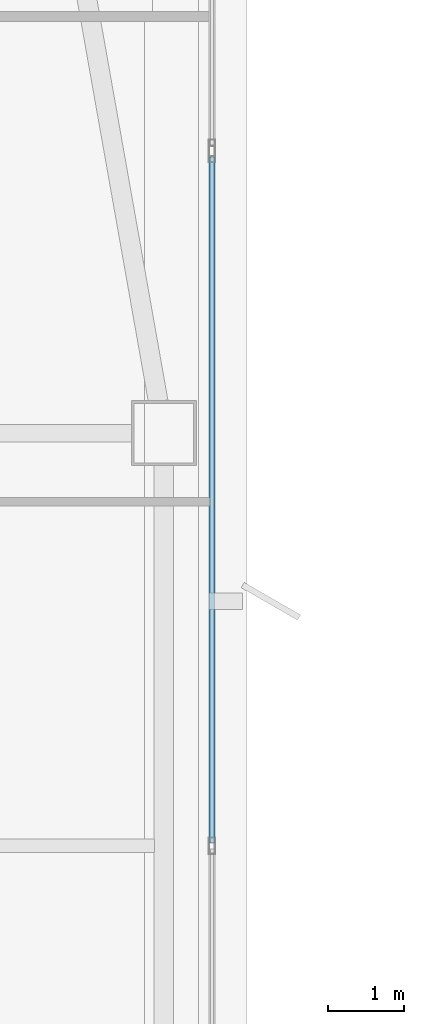
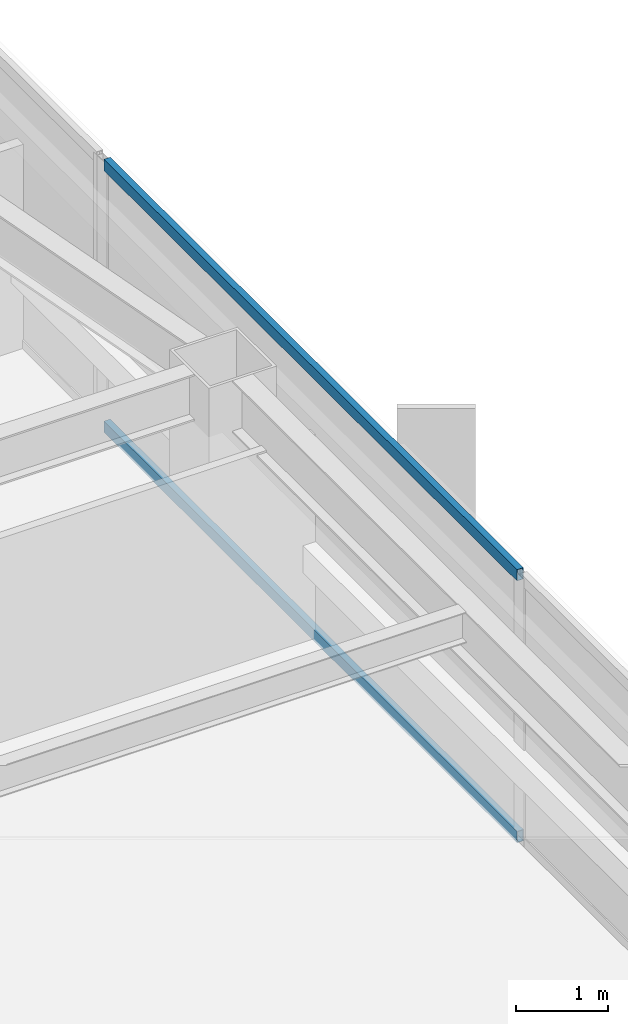
# One storey, part 12 of 49: 2 members, 1 element without a shape of its own.
"""IFC4 building model written with IfcOpenShell, lengths in metres."""

from ifc_helpers import new_model, si_unit, direction, frame, origin, origin_2d, place, context, subcontext, project, spatial, hollow_rectangle, extrude, material, material_profile, profile_set, type_object, element, aggregate, save


model = new_model("IFC4")

# Units and contexts
model_context = context("Model", 3, precision=1e-05, world=origin(), true_north=direction((0.0, 1.0)))
body_context = subcontext(model_context, "Body", "Model", "MODEL_VIEW")
ifc_project = project(units=[si_unit("LENGTHUNIT", "METRE"), si_unit("AREAUNIT", "SQUARE_METRE"), si_unit("VOLUMEUNIT", "CUBIC_METRE"), si_unit("PLANEANGLEUNIT", "RADIAN"), si_unit("MASSUNIT", "GRAM", prefix="KILO")], contexts=[model_context])

# Site, building, storey
site_placement = place(None, origin())
site = spatial("IfcSite", under=ifc_project, at=site_placement, CompositionType="ELEMENT")
building_placement = place(site_placement, origin())
building = spatial("IfcBuilding", under=site, at=building_placement, Name="Tashvorn Skyway Center", CompositionType="ELEMENT")
storey_placement = place(building_placement, frame((0.0, 0.0, 70.75)))
storey = spatial("IfcBuildingStorey", under=building, at=storey_placement, Name="L18", CompositionType="ELEMENT", Elevation=70.75)

# Curtain wall, members
ifc_material = material(Name="Thermally broken bronze-anodized aluminium 6063-T6", Category="aluminium")
curtain_wall_type = type_object("IfcCurtainWallType", Name="CW-CW-Z2", PredefinedType="NOTDEFINED", material=ifc_material)
curtain_wall_placement = place(storey_placement, origin())
curtain_wall = element("IfcCurtainWall", 1, at=curtain_wall_placement, inside=storey, type_object=curtain_wall_type, Name="Tower 1 L18 East Unitised Curtain Wall Glazing Group 2", PredefinedType="NOTDEFINED")
ifc_material_profile = material_profile(ifc_material, hollow_rectangle(XDim=0.080078125, YDim=0.14990234375, WallThickness=0.00439453125, at=origin_2d()), Name="ALU-TRAN-80x150")
ifc_profile_set = profile_set([ifc_material_profile], Name="Thermally broken bronze-anodized aluminium 6063-T6")
member_type = type_object("IfcMemberType", Name="CWT-CW-Z2", PredefinedType="USERDEFINED", material=ifc_profile_set)
member_1_placement = place(storey_placement, frame((62.97998046875, 41.010009765625, 0.0400390625), z_axis=(0.0, -1.0, 0.0), x_axis=(1.0, 0.0, 0.0)))
member_1 = element("IfcMember", 2, at=member_1_placement, type_object=member_type, Name="CW-Z2 transom 1.1", ObjectType="TRANSOM", PredefinedType="USERDEFINED", context=body_context, shape_type="SweptSolid", body=[
    extrude(hollow_rectangle(XDim=0.080078125, YDim=0.14990234375, WallThickness=0.00439453125, at=origin_2d()), origin(), (0.0, 0.0, 1.0), 8.969970703125),
])
member_2_placement = place(storey_placement, frame((62.97998046875, 41.010009765625, 3.510009765625), z_axis=(0.0, -1.0, 0.0), x_axis=(1.0, 0.0, 0.0)))
member_2 = element("IfcMember", 3, at=member_2_placement, type_object=member_type, Name="CW-Z2 transom 1.2", ObjectType="TRANSOM", PredefinedType="USERDEFINED", context=body_context, shape_type="SweptSolid", body=[
    extrude(hollow_rectangle(XDim=0.080078125, YDim=0.14990234375, WallThickness=0.00439453125, at=origin_2d()), origin(), (0.0, 0.0, 1.0), 8.969970703125),
])
aggregate(curtain_wall, [member_1, member_2])

save(model, "model.ifc")
